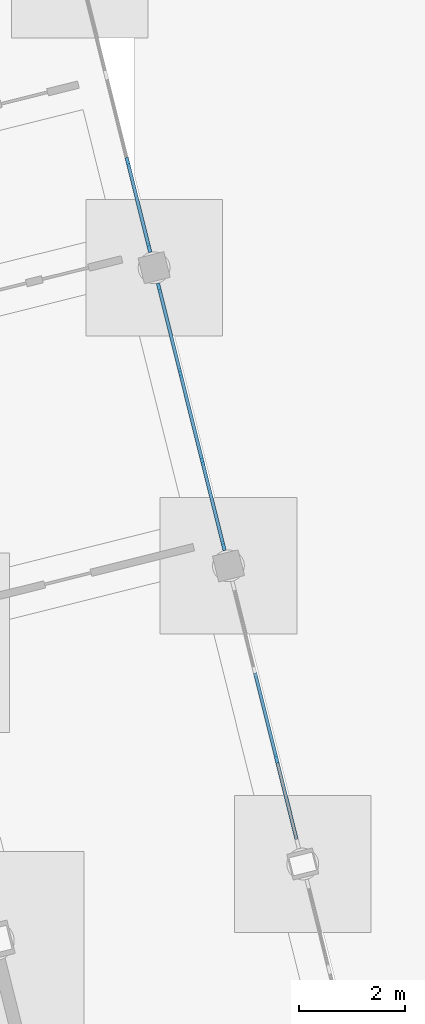
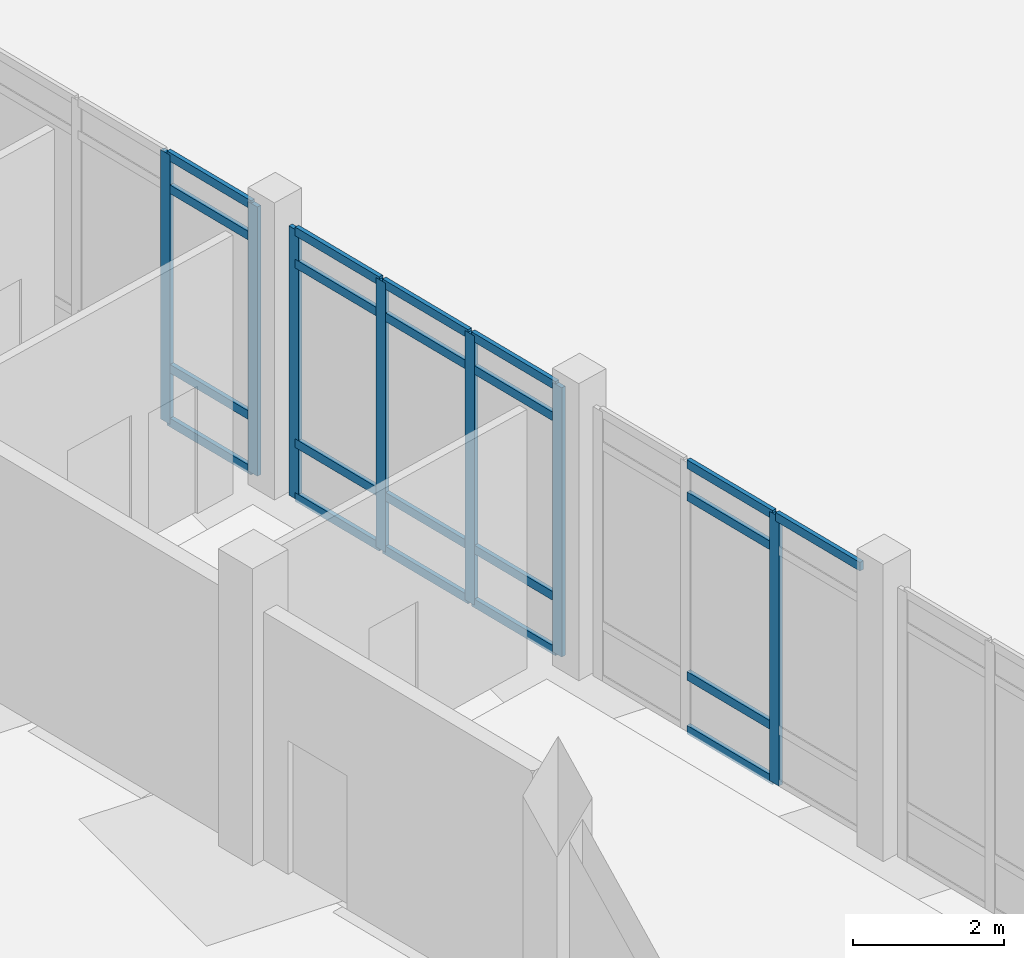
# One storey, part 12 of 72: 28 members, 3 elements without a shape of their own.
"""IFC4 building model written with IfcOpenShell, lengths in metres."""

from ifc_helpers import new_model, si_unit, direction, frame, origin, origin_2d, place, context, subcontext, project, spatial, rectangle, extrude, material, material_profile, profile_set, type_object, element, aggregate, save


model = new_model("IFC4")

# Units and contexts
model_context = context("Model", 3, precision=1e-05, world=origin(), true_north=direction((0.0, 1.0)))
body_context = subcontext(model_context, "Body", "Model", "MODEL_VIEW")
ifc_project = project(units=[si_unit("LENGTHUNIT", "METRE"), si_unit("AREAUNIT", "SQUARE_METRE"), si_unit("VOLUMEUNIT", "CUBIC_METRE"), si_unit("PLANEANGLEUNIT", "RADIAN"), si_unit("MASSUNIT", "GRAM", prefix="KILO")], contexts=[model_context])

# Site, building, storey
site_placement = place(None, origin())
site = spatial("IfcSite", under=ifc_project, at=site_placement, CompositionType="ELEMENT")
building_placement = place(site_placement, origin())
building = spatial("IfcBuilding", under=site, at=building_placement, Name="Cinderway Yard Community Centre", CompositionType="ELEMENT")
storey_placement = place(building_placement, origin())
storey = spatial("IfcBuildingStorey", under=building, at=storey_placement, Name="L00", CompositionType="ELEMENT", Elevation=0.0)

# Curtain wall, member
ifc_material = material(Name="Aluminium 6063-T6", Category="aluminium")
curtain_wall_type = type_object("IfcCurtainWallType", Name="ENV-CW-TYPE-01", PredefinedType="USERDEFINED", material=ifc_material)
curtain_wall_1_placement = place(storey_placement, origin())
curtain_wall_1 = element("IfcCurtainWall", 1, at=curtain_wall_1_placement, inside=storey, type_object=curtain_wall_type, Name="Main Hall Courtyard Curtain Wall ENV-CW-L00-HS-0005", ObjectType="GLAZED CURTAIN WALL", PredefinedType="USERDEFINED")
ifc_material_profile_1 = material_profile(ifc_material, rectangle(XDim=0.06494140625, YDim=0.179931640625, at=origin_2d()), Name="Aluminium 6063-T6")
ifc_profile_set_1 = profile_set([ifc_material_profile_1], Name="Aluminium 6063-T6")
member_type_1 = type_object("IfcMemberType", Name="ENV-CW-MULL-180", PredefinedType="MULLION", material=ifc_profile_set_1)
member_1_placement = place(storey_placement, frame((46.6904296875, 57.84521484375, 0.0), z_axis=(0.0, 0.0, 1.0), x_axis=(-0.97030436752, -0.241887234827, 0.0)))
member_1 = element("IfcMember", 2, at=member_1_placement, type_object=member_type_1, Name="CW-01 mullion 2", PredefinedType="MULLION", context=body_context, shape_type="SweptSolid", body=[
    extrude(rectangle(XDim=0.06494140625, YDim=0.179931640625, at=origin_2d()), origin(), (0.0, 0.0, 1.0), 4.35009765625),
])

# Curtain wall, members
curtain_wall_2_placement = place(storey_placement, origin())
curtain_wall_2 = element("IfcCurtainWall", 3, at=curtain_wall_2_placement, inside=storey, type_object=curtain_wall_type, Name="Main Hall Courtyard Curtain Wall ENV-CW-L00-HS-0006", ObjectType="GLAZED CURTAIN WALL", PredefinedType="USERDEFINED")
member_2_placement = place(storey_placement, frame((45.689697265625, 61.859130859375, 0.0), z_axis=(0.0, 0.0, 1.0), x_axis=(-0.970292848611, -0.241933436991, 0.0)))
member_2 = element("IfcMember", 4, at=member_2_placement, type_object=member_type_1, Name="CW-01 mullion 1", PredefinedType="MULLION", context=body_context, shape_type="SweptSolid", body=[
    extrude(rectangle(XDim=0.06494140625, YDim=0.179931640625, at=origin_2d()), origin(), (0.0, 0.0, 1.0), 4.35009765625),
])
member_3_placement = place(storey_placement, frame((45.287353515625, 63.472900390625, 0.0), z_axis=(0.0, 0.0, 1.0), x_axis=(-0.970292848611, -0.241933436991, 0.0)))
member_3 = element("IfcMember", 5, at=member_3_placement, type_object=member_type_1, Name="CW-01 mullion 2", PredefinedType="MULLION", context=body_context, shape_type="SweptSolid", body=[
    extrude(rectangle(XDim=0.06494140625, YDim=0.179931640625, at=origin_2d()), origin(), (0.0, 0.0, 1.0), 4.35009765625),
])
member_4_placement = place(storey_placement, frame((44.877685546875, 65.115966796875, 0.0), z_axis=(0.0, 0.0, 1.0), x_axis=(-0.970292848611, -0.241933436991, 0.0)))
member_4 = element("IfcMember", 6, at=member_4_placement, type_object=member_type_1, Name="CW-01 mullion 3", PredefinedType="MULLION", context=body_context, shape_type="SweptSolid", body=[
    extrude(rectangle(XDim=0.06494140625, YDim=0.179931640625, at=origin_2d()), origin(), (0.0, 0.0, 1.0), 4.35009765625),
])
member_5_placement = place(storey_placement, frame((44.475341796875, 66.72998046875, 0.0), z_axis=(0.0, 0.0, 1.0), x_axis=(-0.970292848611, -0.241933436991, 0.0)))
member_5 = element("IfcMember", 7, at=member_5_placement, type_object=member_type_1, Name="CW-01 mullion 4", PredefinedType="MULLION", context=body_context, shape_type="SweptSolid", body=[
    extrude(rectangle(XDim=0.06494140625, YDim=0.179931640625, at=origin_2d()), origin(), (0.0, 0.0, 1.0), 4.35009765625),
])

curtain_wall_3_placement = place(storey_placement, origin())
curtain_wall_3 = element("IfcCurtainWall", 8, at=curtain_wall_3_placement, inside=storey, type_object=curtain_wall_type, Name="Main Hall Courtyard Curtain Wall ENV-CW-L00-HS-0007", ObjectType="GLAZED CURTAIN WALL", PredefinedType="USERDEFINED")
member_6_placement = place(storey_placement, frame((44.28662109375, 67.486083984375, 0.0), z_axis=(0.0, 0.0, 1.0), x_axis=(-0.970258158409, -0.242072522276, 0.0)))
member_6 = element("IfcMember", 9, at=member_6_placement, type_object=member_type_1, Name="CW-01 mullion 1", PredefinedType="MULLION", context=body_context, shape_type="SweptSolid", body=[
    extrude(rectangle(XDim=0.06494140625, YDim=0.179931640625, at=origin_2d()), origin(), (0.0, 0.0, 1.0), 4.35009765625),
])
member_7_placement = place(storey_placement, frame((43.884033203125, 69.100341796875, 0.0), z_axis=(0.0, 0.0, 1.0), x_axis=(-0.970258158409, -0.242072522276, 0.0)))
member_7 = element("IfcMember", 10, at=member_7_placement, type_object=member_type_1, Name="CW-01 mullion 2", PredefinedType="MULLION", context=body_context, shape_type="SweptSolid", body=[
    extrude(rectangle(XDim=0.06494140625, YDim=0.179931640625, at=origin_2d()), origin(), (0.0, 0.0, 1.0), 4.35009765625),
])

# Member
ifc_material_profile_2 = material_profile(ifc_material, rectangle(XDim=0.06494140625, YDim=0.139892578125, at=origin_2d()), Name="Aluminium 6063-T6")
ifc_profile_set_2 = profile_set([ifc_material_profile_2], Name="Aluminium 6063-T6")
member_type_2 = type_object("IfcMemberType", Name="ENV-CW-TRAN-140", PredefinedType="USERDEFINED", material=ifc_profile_set_2)
member_8_placement = place(storey_placement, frame((47.08544921875, 56.26025390625, 4.320068359375), z_axis=(-0.241926573916, 0.970294559829, 0.0), x_axis=(-0.970294559829, -0.241926573916, 0.0)))
member_8 = element("IfcMember", 11, at=member_8_placement, type_object=member_type_2, Name="CW-01 transom 1.4", ObjectType="TRANSOM", PredefinedType="USERDEFINED", context=body_context, shape_type="SweptSolid", body=[
    extrude(rectangle(XDim=0.06494140625, YDim=0.139892578125, at=origin_2d()), origin(), (0.0, 0.0, 1.0), 1.603515625),
])

member_9_placement = place(storey_placement, frame((46.68310546875, 57.87451171875, 0.030029296875), z_axis=(-0.241972917865, 0.970283003571, 0.0), x_axis=(-0.970283003571, -0.241972917865, 0.0)))
member_9 = element("IfcMember", 12, at=member_9_placement, type_object=member_type_2, Name="CW-01 transom 2.1", ObjectType="TRANSOM", PredefinedType="USERDEFINED", context=body_context, shape_type="SweptSolid", body=[
    extrude(rectangle(XDim=0.06494140625, YDim=0.139892578125, at=origin_2d()), origin(), (0.0, 0.0, 1.0), 1.633544921875),
])

member_10_placement = place(storey_placement, frame((46.68310546875, 57.87451171875, 0.89990234375), z_axis=(-0.241972917865, 0.970283003571, 0.0), x_axis=(-0.970283003571, -0.241972917865, 0.0)))
member_10 = element("IfcMember", 13, at=member_10_placement, type_object=member_type_2, Name="CW-01 transom 2.2", ObjectType="TRANSOM", PredefinedType="USERDEFINED", context=body_context, shape_type="SweptSolid", body=[
    extrude(rectangle(XDim=0.06494140625, YDim=0.139892578125, at=origin_2d()), origin(), (0.0, 0.0, 1.0), 1.633544921875),
])

member_11_placement = place(storey_placement, frame((46.68310546875, 57.87451171875, 3.800048828125), z_axis=(-0.241972917865, 0.970283003571, 0.0), x_axis=(-0.970283003571, -0.241972917865, 0.0)))
member_11 = element("IfcMember", 14, at=member_11_placement, type_object=member_type_2, Name="CW-01 transom 2.3", ObjectType="TRANSOM", PredefinedType="USERDEFINED", context=body_context, shape_type="SweptSolid", body=[
    extrude(rectangle(XDim=0.06494140625, YDim=0.139892578125, at=origin_2d()), origin(), (0.0, 0.0, 1.0), 1.633544921875),
])

member_12_placement = place(storey_placement, frame((46.68310546875, 57.87451171875, 4.320068359375), z_axis=(-0.241972917865, 0.970283003571, 0.0), x_axis=(-0.970283003571, -0.241972917865, 0.0)))
member_12 = element("IfcMember", 15, at=member_12_placement, type_object=member_type_2, Name="CW-01 transom 2.4", ObjectType="TRANSOM", PredefinedType="USERDEFINED", context=body_context, shape_type="SweptSolid", body=[
    extrude(rectangle(XDim=0.06494140625, YDim=0.139892578125, at=origin_2d()), origin(), (0.0, 0.0, 1.0), 1.633544921875),
])

aggregate(curtain_wall_1, [member_1, member_8, member_9, member_10, member_11, member_12])

member_13_placement = place(storey_placement, frame((45.682373046875, 61.88818359375, 0.030029296875), z_axis=(-0.241818952107, 0.970321387171, 0.0), x_axis=(-0.970321387171, -0.241818952107, 0.0)))
member_13 = element("IfcMember", 16, at=member_13_placement, type_object=member_type_2, Name="CW-01 transom 1.1", ObjectType="TRANSOM", PredefinedType="USERDEFINED", context=body_context, shape_type="SweptSolid", body=[
    extrude(rectangle(XDim=0.06494140625, YDim=0.139892578125, at=origin_2d()), origin(), (0.0, 0.0, 1.0), 1.603271484375),
])

member_14_placement = place(storey_placement, frame((45.682373046875, 61.88818359375, 0.89990234375), z_axis=(-0.241818952107, 0.970321387171, 0.0), x_axis=(-0.970321387171, -0.241818952107, 0.0)))
member_14 = element("IfcMember", 17, at=member_14_placement, type_object=member_type_2, Name="CW-01 transom 1.2", ObjectType="TRANSOM", PredefinedType="USERDEFINED", context=body_context, shape_type="SweptSolid", body=[
    extrude(rectangle(XDim=0.06494140625, YDim=0.139892578125, at=origin_2d()), origin(), (0.0, 0.0, 1.0), 1.603271484375),
])

member_15_placement = place(storey_placement, frame((45.682373046875, 61.88818359375, 3.800048828125), z_axis=(-0.241818952107, 0.970321387171, 0.0), x_axis=(-0.970321387171, -0.241818952107, 0.0)))
member_15 = element("IfcMember", 18, at=member_15_placement, type_object=member_type_2, Name="CW-01 transom 1.3", ObjectType="TRANSOM", PredefinedType="USERDEFINED", context=body_context, shape_type="SweptSolid", body=[
    extrude(rectangle(XDim=0.06494140625, YDim=0.139892578125, at=origin_2d()), origin(), (0.0, 0.0, 1.0), 1.603271484375),
])

member_16_placement = place(storey_placement, frame((45.682373046875, 61.88818359375, 4.320068359375), z_axis=(-0.241818952107, 0.970321387171, 0.0), x_axis=(-0.970321387171, -0.241818952107, 0.0)))
member_16 = element("IfcMember", 19, at=member_16_placement, type_object=member_type_2, Name="CW-01 transom 1.4", ObjectType="TRANSOM", PredefinedType="USERDEFINED", context=body_context, shape_type="SweptSolid", body=[
    extrude(rectangle(XDim=0.06494140625, YDim=0.139892578125, at=origin_2d()), origin(), (0.0, 0.0, 1.0), 1.603271484375),
])

member_17_placement = place(storey_placement, frame((45.280029296875, 63.502197265625, 0.030029296875), z_axis=(-0.24186728009, 0.970309341819, 0.0), x_axis=(-0.970309341819, -0.24186728009, 0.0)))
member_17 = element("IfcMember", 20, at=member_17_placement, type_object=member_type_2, Name="CW-01 transom 2.1", ObjectType="TRANSOM", PredefinedType="USERDEFINED", context=body_context, shape_type="SweptSolid", body=[
    extrude(rectangle(XDim=0.06494140625, YDim=0.139892578125, at=origin_2d()), origin(), (0.0, 0.0, 1.0), 1.63330078125),
])

member_18_placement = place(storey_placement, frame((45.280029296875, 63.502197265625, 0.89990234375), z_axis=(-0.24186728009, 0.970309341819, 0.0), x_axis=(-0.970309341819, -0.24186728009, 0.0)))
member_18 = element("IfcMember", 21, at=member_18_placement, type_object=member_type_2, Name="CW-01 transom 2.2", ObjectType="TRANSOM", PredefinedType="USERDEFINED", context=body_context, shape_type="SweptSolid", body=[
    extrude(rectangle(XDim=0.06494140625, YDim=0.139892578125, at=origin_2d()), origin(), (0.0, 0.0, 1.0), 1.63330078125),
])

member_19_placement = place(storey_placement, frame((45.280029296875, 63.502197265625, 3.800048828125), z_axis=(-0.24186728009, 0.970309341819, 0.0), x_axis=(-0.970309341819, -0.24186728009, 0.0)))
member_19 = element("IfcMember", 22, at=member_19_placement, type_object=member_type_2, Name="CW-01 transom 2.3", ObjectType="TRANSOM", PredefinedType="USERDEFINED", context=body_context, shape_type="SweptSolid", body=[
    extrude(rectangle(XDim=0.06494140625, YDim=0.139892578125, at=origin_2d()), origin(), (0.0, 0.0, 1.0), 1.63330078125),
])

member_20_placement = place(storey_placement, frame((45.280029296875, 63.502197265625, 4.320068359375), z_axis=(-0.24186728009, 0.970309341819, 0.0), x_axis=(-0.970309341819, -0.24186728009, 0.0)))
member_20 = element("IfcMember", 23, at=member_20_placement, type_object=member_type_2, Name="CW-01 transom 2.4", ObjectType="TRANSOM", PredefinedType="USERDEFINED", context=body_context, shape_type="SweptSolid", body=[
    extrude(rectangle(XDim=0.06494140625, YDim=0.139892578125, at=origin_2d()), origin(), (0.0, 0.0, 1.0), 1.63330078125),
])

member_21_placement = place(storey_placement, frame((44.870361328125, 65.14501953125, 0.030029296875), z_axis=(-0.241962318399, 0.970285646846, 0.0), x_axis=(-0.970285646846, -0.241962318399, 0.0)))
member_21 = element("IfcMember", 24, at=member_21_placement, type_object=member_type_2, Name="CW-01 transom 3.1", ObjectType="TRANSOM", PredefinedType="USERDEFINED", context=body_context, shape_type="SweptSolid", body=[
    extrude(rectangle(XDim=0.06494140625, YDim=0.139892578125, at=origin_2d()), origin(), (0.0, 0.0, 1.0), 1.603271484375),
])

member_22_placement = place(storey_placement, frame((44.870361328125, 65.14501953125, 0.89990234375), z_axis=(-0.241962318399, 0.970285646846, 0.0), x_axis=(-0.970285646846, -0.241962318399, 0.0)))
member_22 = element("IfcMember", 25, at=member_22_placement, type_object=member_type_2, Name="CW-01 transom 3.2", ObjectType="TRANSOM", PredefinedType="USERDEFINED", context=body_context, shape_type="SweptSolid", body=[
    extrude(rectangle(XDim=0.06494140625, YDim=0.139892578125, at=origin_2d()), origin(), (0.0, 0.0, 1.0), 1.603271484375),
])

member_23_placement = place(storey_placement, frame((44.870361328125, 65.14501953125, 3.800048828125), z_axis=(-0.241962318399, 0.970285646846, 0.0), x_axis=(-0.970285646846, -0.241962318399, 0.0)))
member_23 = element("IfcMember", 26, at=member_23_placement, type_object=member_type_2, Name="CW-01 transom 3.3", ObjectType="TRANSOM", PredefinedType="USERDEFINED", context=body_context, shape_type="SweptSolid", body=[
    extrude(rectangle(XDim=0.06494140625, YDim=0.139892578125, at=origin_2d()), origin(), (0.0, 0.0, 1.0), 1.603271484375),
])

member_24_placement = place(storey_placement, frame((44.870361328125, 65.14501953125, 4.320068359375), z_axis=(-0.241962318399, 0.970285646846, 0.0), x_axis=(-0.970285646846, -0.241962318399, 0.0)))
member_24 = element("IfcMember", 27, at=member_24_placement, type_object=member_type_2, Name="CW-01 transom 3.4", ObjectType="TRANSOM", PredefinedType="USERDEFINED", context=body_context, shape_type="SweptSolid", body=[
    extrude(rectangle(XDim=0.06494140625, YDim=0.139892578125, at=origin_2d()), origin(), (0.0, 0.0, 1.0), 1.603271484375),
])

aggregate(curtain_wall_2, [member_2, member_3, member_4, member_5, member_13, member_14, member_15, member_16, member_17, member_18, member_19, member_20, member_21, member_22, member_23, member_24])

member_25_placement = place(storey_placement, frame((44.279541015625, 67.51513671875, 0.030029296875), z_axis=(-0.242034153032, 0.970267730457, 0.0), x_axis=(-0.970267730457, -0.242034153032, 0.0)))
member_25 = element("IfcMember", 28, at=member_25_placement, type_object=member_type_2, Name="CW-01 transom 1.1", ObjectType="TRANSOM", PredefinedType="USERDEFINED", context=body_context, shape_type="SweptSolid", body=[
    extrude(rectangle(XDim=0.06494140625, YDim=0.139892578125, at=origin_2d()), origin(), (0.0, 0.0, 1.0), 1.603759765625),
])

member_26_placement = place(storey_placement, frame((44.279541015625, 67.51513671875, 0.89990234375), z_axis=(-0.242034153032, 0.970267730457, 0.0), x_axis=(-0.970267730457, -0.242034153032, 0.0)))
member_26 = element("IfcMember", 29, at=member_26_placement, type_object=member_type_2, Name="CW-01 transom 1.2", ObjectType="TRANSOM", PredefinedType="USERDEFINED", context=body_context, shape_type="SweptSolid", body=[
    extrude(rectangle(XDim=0.06494140625, YDim=0.139892578125, at=origin_2d()), origin(), (0.0, 0.0, 1.0), 1.603759765625),
])

member_27_placement = place(storey_placement, frame((44.279541015625, 67.51513671875, 3.800048828125), z_axis=(-0.242034153032, 0.970267730457, 0.0), x_axis=(-0.970267730457, -0.242034153032, 0.0)))
member_27 = element("IfcMember", 30, at=member_27_placement, type_object=member_type_2, Name="CW-01 transom 1.3", ObjectType="TRANSOM", PredefinedType="USERDEFINED", context=body_context, shape_type="SweptSolid", body=[
    extrude(rectangle(XDim=0.06494140625, YDim=0.139892578125, at=origin_2d()), origin(), (0.0, 0.0, 1.0), 1.603759765625),
])

member_28_placement = place(storey_placement, frame((44.279541015625, 67.51513671875, 4.320068359375), z_axis=(-0.242034153032, 0.970267730457, 0.0), x_axis=(-0.970267730457, -0.242034153032, 0.0)))
member_28 = element("IfcMember", 31, at=member_28_placement, type_object=member_type_2, Name="CW-01 transom 1.4", ObjectType="TRANSOM", PredefinedType="USERDEFINED", context=body_context, shape_type="SweptSolid", body=[
    extrude(rectangle(XDim=0.06494140625, YDim=0.139892578125, at=origin_2d()), origin(), (0.0, 0.0, 1.0), 1.603759765625),
])

aggregate(curtain_wall_3, [member_6, member_7, member_25, member_26, member_27, member_28])

save(model, "model.ifc")
